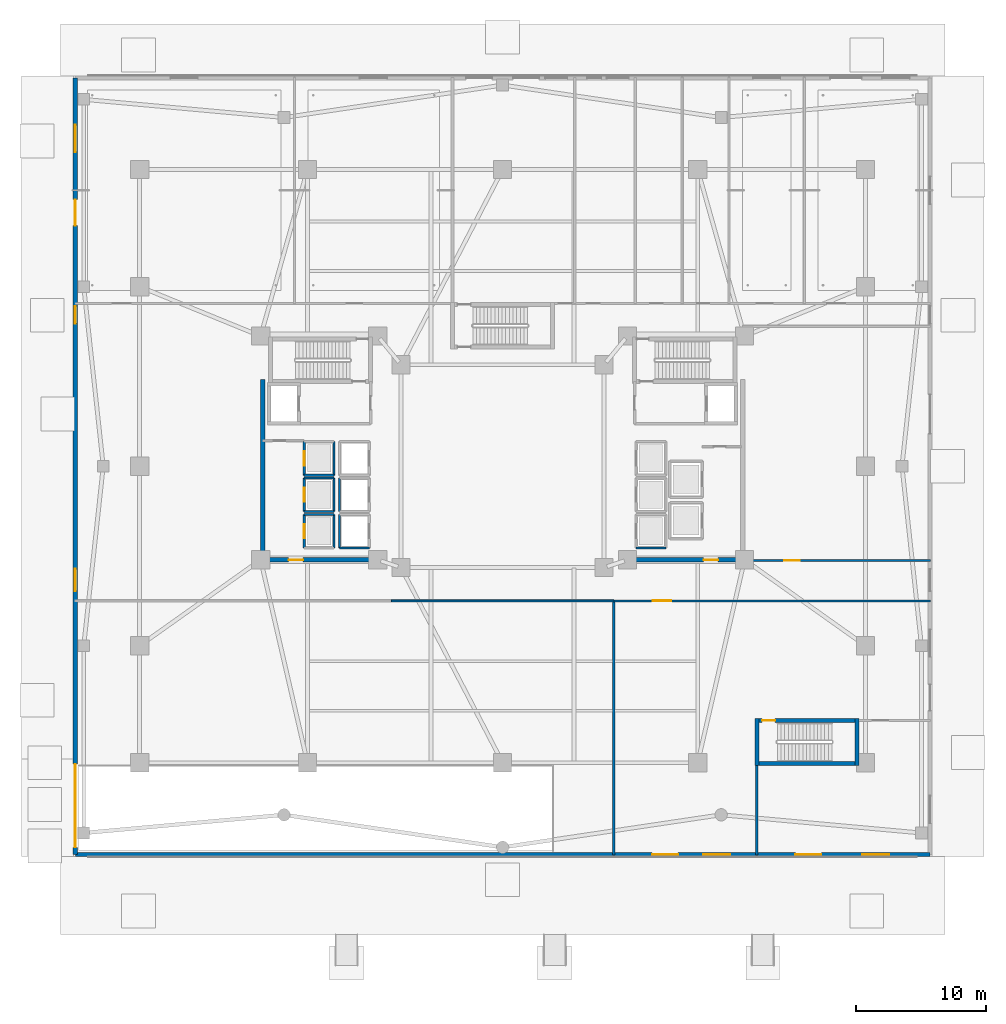
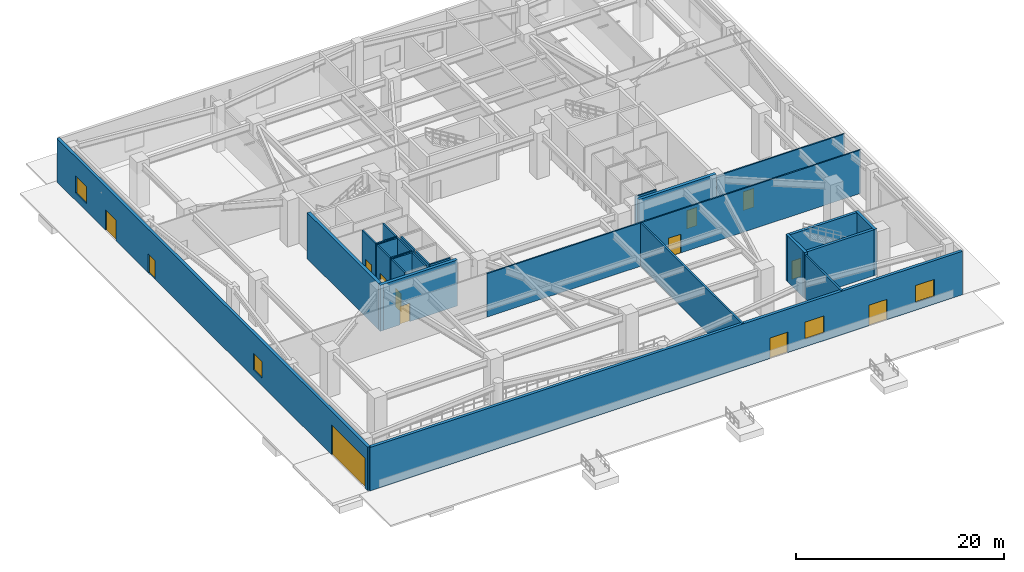
# One storey, part 3 of 18: 28 walls, 13 doors, 4 windows, 17 openings.
"""IFC4 building model written with IfcOpenShell, lengths in metres."""

from ifc_helpers import new_model, si_unit, direction, frame, frame_2d, origin, place, context, subcontext, project, spatial, rectangle, extrude, material, layer, layer_set, type_object, element, fill, save


model = new_model("IFC4")

# Units and contexts
model_context = context("Model", 3, precision=1e-05, world=origin(), true_north=direction((0.0, 1.0)))
body_context = subcontext(model_context, "Body", "Model", "MODEL_VIEW")
ifc_project = project(units=[si_unit("LENGTHUNIT", "METRE"), si_unit("AREAUNIT", "SQUARE_METRE"), si_unit("VOLUMEUNIT", "CUBIC_METRE"), si_unit("PLANEANGLEUNIT", "RADIAN"), si_unit("MASSUNIT", "GRAM", prefix="KILO")], contexts=[model_context])

# Site, building, storey
site_placement = place(None, origin())
site = spatial("IfcSite", under=ifc_project, at=site_placement, CompositionType="ELEMENT")
building_placement = place(site_placement, origin())
building = spatial("IfcBuilding", under=site, at=building_placement, Name="Tarnavaz Court Tower", CompositionType="ELEMENT")
storey_placement = place(building_placement, origin())
storey = spatial("IfcBuildingStorey", under=building, at=storey_placement, Name="L00", CompositionType="ELEMENT", Elevation=0.0)

# Wall, opening, door
ifc_material_1 = material(Name="Concrete C60/75", Category="concrete")
ifc_layer_1 = layer(ifc_material_1, 0.300048828125)
ifc_layer_set_1 = layer_set([ifc_layer_1], Name="Concrete C60/75")
wall_type_1 = type_object("IfcWallType", Name="WL-CORE-300-C60", PredefinedType="SHEAR", material=ifc_layer_set_1)
wall_1_placement = place(storey_placement, frame((19.39990234375, -19.56005859375, 0.0), z_axis=(0.0, 0.0, 1.0), x_axis=(1.0, 0.0, 0.0)))
wall_1 = element("IfcWall", 1, at=wall_1_placement, inside=storey, type_object=wall_type_1, Name="L00 Podium Stair Core Wall 013", PredefinedType="SHEAR", context=body_context, shape_type="SweptSolid", body=[
    extrude(rectangle(XDim=8.0, YDim=0.300048828125, at=frame_2d((4.0, 0.0))), origin(), (0.0, 0.0, 1.0), 5.39990234375),
])
opening_1_placement = place(wall_1_placement, frame((0.550048828125, 0.0, 0.0)))
opening_1 = element("IfcOpeningElement", 2, at=opening_1_placement, cuts=wall_1, Name="Opening D01", PredefinedType="OPENING", context=body_context, shape_type="SweptSolid", body=[
    extrude(rectangle(XDim=1.0, YDim=2.14990234375, at=frame_2d((0.5, 1.074951171875))), frame((0.0, 0.159912109375, 0.0), z_axis=(0.0, -1.0, 0.0), x_axis=(1.0, 0.0, 0.0)), (0.0, 0.0, 1.0), 0.320068359375),
])
ifc_material_2 = material(Name="Fire-Rated Hardwood Timber Core", Category="wood")
door_type_1 = type_object("IfcDoorType", Name="DR-FD90-1000", OperationType="NOTDEFINED", PredefinedType="DOOR", material=ifc_material_2)
door_1_placement = place(opening_1_placement, origin())
door_1 = element("IfcDoor", 3, at=door_1_placement, inside=storey, type_object=door_type_1, Name="L00 Stair ST-P1 Exit Door", OperationType="SINGLE_SWING_RIGHT", OverallHeight=2.14990234375, OverallWidth=1.0, PredefinedType="DOOR", context=body_context, shape_type="SweptSolid", body=[
    extrude(rectangle(XDim=1.0, YDim=2.14990234375, at=frame_2d((0.5, 1.074951171875))), frame((0.0, 0.02490234375, 0.0), z_axis=(0.0, -1.0, 0.0), x_axis=(1.0, 0.0, 0.0)), (0.0, 0.0, 1.0), 0.050048828125),
])
fill(opening_1, door_1)

# Walls
wall_2_placement = place(storey_placement, frame((19.39990234375, -22.85009765625, 0.0), z_axis=(0.0, 0.0, 1.0), x_axis=(1.0, 0.0, 0.0)))
element("IfcWall", 4, at=wall_2_placement, inside=storey, type_object=wall_type_1, Name="L00 Podium Stair Core Wall 014", PredefinedType="SHEAR", context=body_context, shape_type="SweptSolid", body=[
    extrude(rectangle(XDim=8.0, YDim=0.300048828125, at=frame_2d((4.0, 0.0))), origin(), (0.0, 0.0, 1.0), 5.39990234375),
])
for number, where, z_axis, x_axis, name in (
    (5, (19.550048828125, -23.0, 0.0), (0.0, 0.0, 1.0), (0.0, 1.0, 0.0), "L00 Podium Stair Core Wall 015"),
    (6, (27.25, -23.0, 0.0), (0.0, 0.0, 1.0), (0.0, 1.0, 0.0), "L00 Podium Stair Core Wall 016"),
):
    element("IfcWall", number, at=place(storey_placement, frame(where, z_axis=z_axis, x_axis=x_axis)), inside=storey, type_object=wall_type_1, Name=name, PredefinedType="SHEAR", context=body_context, shape_type="SweptSolid", body=[
        extrude(rectangle(XDim=3.590087890625, YDim=0.300048828125, at=frame_2d((1.794921875, 0.0))), origin(), (0.0, 0.0, 1.0), 5.39990234375),
    ])
ifc_layer_2 = layer(ifc_material_1, 0.35009765625)
ifc_layer_set_2 = layer_set([ifc_layer_2], Name="Concrete C60/75")
wall_type_2 = type_object("IfcWallType", Name="WL-CORE-350-C60", PredefinedType="SHEAR", material=ifc_layer_set_2)
wall_3_placement = place(storey_placement, frame((-18.449951171875, -7.375, 0.0), z_axis=(0.0, 0.0, 1.0), x_axis=(0.0, 1.0, 0.0)))
element("IfcWall", 7, at=wall_3_placement, inside=storey, type_object=wall_type_2, Name="L00 West Core Shear Wall 073", PredefinedType="SHEAR", context=body_context, shape_type="SweptSolid", body=[
    extrude(rectangle(XDim=14.050048828125, YDim=0.35009765625, at=frame_2d((7.02490234375, 0.0))), origin(), (0.0, 0.0, 1.0), 5.39990234375),
])

# Wall, opening, door
wall_4_placement = place(storey_placement, frame((-18.625, -7.199951171875, 0.0), z_axis=(0.0, 0.0, 1.0), x_axis=(1.0, 0.0, 0.0)))
wall_4 = element("IfcWall", 8, at=wall_4_placement, inside=storey, type_object=wall_type_2, Name="L00 West Core South Shear Wall 074", PredefinedType="SHEAR", context=body_context, shape_type="SweptSolid", body=[
    extrude(rectangle(XDim=8.550048828125, YDim=0.35009765625, at=frame_2d((4.27490234375, 0.0))), origin(), (0.0, 0.0, 1.0), 5.39990234375),
])
opening_2_placement = place(wall_4_placement, frame((2.175048828125, 0.0, 0.0)))
opening_2 = element("IfcOpeningElement", 9, at=opening_2_placement, cuts=wall_4, Name="Opening D04", PredefinedType="OPENING", context=body_context, shape_type="SweptSolid", body=[
    extrude(rectangle(XDim=1.1201171875, YDim=2.14990234375, at=frame_2d((0.56005859375, 1.074951171875))), frame((0.0, 0.18505859375, 0.0), z_axis=(0.0, -1.0, 0.0), x_axis=(1.0, 0.0, 0.0)), (0.0, 0.0, 1.0), 0.3701171875),
])
door_type_2 = type_object("IfcDoorType", Name="DR-FD60-1100", OperationType="NOTDEFINED", PredefinedType="DOOR", material=ifc_material_2)
door_2_placement = place(opening_2_placement, origin())
door_2 = element("IfcDoor", 10, at=door_2_placement, inside=storey, type_object=door_type_2, Name="L00 West High-Rise Lift Lobby Door", OperationType="SINGLE_SWING_LEFT", OverallHeight=2.14990234375, OverallWidth=1.1201171875, PredefinedType="DOOR", context=body_context, shape_type="SweptSolid", body=[
    extrude(rectangle(XDim=1.1201171875, YDim=2.14990234375, at=frame_2d((0.56005859375, 1.074951171875))), frame((0.0, 0.02490234375, 0.0), z_axis=(0.0, -1.0, 0.0), x_axis=(1.0, 0.0, 0.0)), (0.0, 0.0, 1.0), 0.050048828125),
])
fill(opening_2, door_2)

wall_5_placement = place(storey_placement, frame((10.074951171875, -7.199951171875, 0.0), z_axis=(0.0, 0.0, 1.0), x_axis=(1.0, 0.0, 0.0)))
wall_5 = element("IfcWall", 11, at=wall_5_placement, inside=storey, type_object=wall_type_2, Name="L00 East Core South Shear Wall 076", PredefinedType="SHEAR", context=body_context, shape_type="SweptSolid", body=[
    extrude(rectangle(XDim=8.550048828125, YDim=0.35009765625, at=frame_2d((4.27490234375, 0.0))), origin(), (0.0, 0.0, 1.0), 5.39990234375),
])
opening_3_placement = place(wall_5_placement, frame((5.375, 0.0, 0.0)))
opening_3 = element("IfcOpeningElement", 12, at=opening_3_placement, cuts=wall_5, Name="Opening D04", PredefinedType="OPENING", context=body_context, shape_type="SweptSolid", body=[
    extrude(rectangle(XDim=1.1201171875, YDim=2.14990234375, at=frame_2d((0.56005859375, 1.074951171875))), frame((0.0, 0.18505859375, 0.0), z_axis=(0.0, -1.0, 0.0), x_axis=(1.0, 0.0, 0.0)), (0.0, 0.0, 1.0), 0.3701171875),
])
door_3_placement = place(opening_3_placement, origin())
door_3 = element("IfcDoor", 13, at=door_3_placement, inside=storey, type_object=door_type_2, Name="L00 East Express Lift Lobby Door", OperationType="SINGLE_SWING_LEFT", OverallHeight=2.14990234375, OverallWidth=1.1201171875, PredefinedType="DOOR", context=body_context, shape_type="SweptSolid", body=[
    extrude(rectangle(XDim=1.1201171875, YDim=2.14990234375, at=frame_2d((0.56005859375, 1.074951171875))), frame((0.0, 0.02490234375, 0.0), z_axis=(0.0, -1.0, 0.0), x_axis=(1.0, 0.0, 0.0)), (0.0, 0.0, 1.0), 0.050048828125),
])
fill(opening_3, door_3)

# Wall, openings, doors, windows
ifc_material_3 = material(Name="Precast Concrete C40/50", Category="concrete")
ifc_layer_3 = layer(ifc_material_3, 0.320068359375)
ifc_layer_set_3 = layer_set([ifc_layer_3], Name="Precast Concrete C40/50")
wall_type_3 = type_object("IfcWallType", Name="WL-EXT-320", PredefinedType="SOLIDWALL", material=ifc_layer_set_3)
wall_6_placement = place(storey_placement, frame((32.85009765625, -29.85009765625, 0.0), z_axis=(0.0, 0.0, 1.0), x_axis=(-1.0, 0.0, 0.0)))
wall_6 = element("IfcWall", 14, at=wall_6_placement, inside=storey, type_object=wall_type_3, Name="L00 Exterior Terracotta Facade Wall 03", PredefinedType="SOLIDWALL", context=body_context, shape_type="SweptSolid", body=[
    extrude(rectangle(XDim=65.7001953125, YDim=0.320068359375, at=frame_2d((32.85009765625, 0.0))), origin(), (0.0, 0.0, 1.0), 5.10009765625),
])
opening_4_placement = place(wall_6_placement, frame((8.35009765625, 0.0, 0.0)))
opening_4 = element("IfcOpeningElement", 15, at=opening_4_placement, cuts=wall_6, Name="Opening EXD1", PredefinedType="OPENING", context=body_context, shape_type="SweptSolid", body=[
    extrude(rectangle(XDim=2.0, YDim=2.39990234375, at=frame_2d((1.0, 1.199951171875))), frame((0.0, 0.169921875, 0.0), z_axis=(0.0, -1.0, 0.0), x_axis=(1.0, 0.0, 0.0)), (0.0, 0.0, 1.0), 0.340087890625),
])
opening_5_placement = place(wall_6_placement, frame((19.35009765625, 0.0, 0.0)))
opening_5 = element("IfcOpeningElement", 16, at=opening_5_placement, cuts=wall_6, Name="Opening EXD1", PredefinedType="OPENING", context=body_context, shape_type="SweptSolid", body=[
    extrude(rectangle(XDim=2.0, YDim=2.39990234375, at=frame_2d((1.0, 1.199951171875))), frame((0.0, 0.169921875, 0.0), z_axis=(0.0, -1.0, 0.0), x_axis=(1.0, 0.0, 0.0)), (0.0, 0.0, 1.0), 0.340087890625),
])
opening_6_placement = place(wall_6_placement, frame((3.114990234375, 0.0, 0.89990234375)))
opening_6 = element("IfcOpeningElement", 17, at=opening_6_placement, cuts=wall_6, Name="Opening W09", PredefinedType="OPENING", context=body_context, shape_type="SweptSolid", body=[
    extrude(rectangle(XDim=2.10009765625, YDim=2.0, at=frame_2d((1.050048828125, 1.0))), frame((0.0, 0.169921875, 0.0), z_axis=(0.0, -1.0, 0.0), x_axis=(1.0, 0.0, 0.0)), (0.0, 0.0, 1.0), 0.340087890625),
])
opening_7_placement = place(wall_6_placement, frame((15.340087890625, 0.0, 0.89990234375)))
opening_7 = element("IfcOpeningElement", 18, at=opening_7_placement, cuts=wall_6, Name="Opening W09", PredefinedType="OPENING", context=body_context, shape_type="SweptSolid", body=[
    extrude(rectangle(XDim=2.10009765625, YDim=2.0, at=frame_2d((1.050048828125, 1.0))), frame((0.0, 0.169921875, 0.0), z_axis=(0.0, -1.0, 0.0), x_axis=(1.0, 0.0, 0.0)), (0.0, 0.0, 1.0), 0.340087890625),
])
ifc_material_4 = material(Name="Thermally Broken Aluminium and Laminated Glass", Category="aluminium")
door_type_3 = type_object("IfcDoorType", Name="DR-EXIT-2000", OperationType="NOTDEFINED", PredefinedType="DOOR", material=ifc_material_4)
door_4_placement = place(opening_4_placement, origin())
door_4 = element("IfcDoor", 19, at=door_4_placement, inside=storey, type_object=door_type_3, Name="L00 South Pedestrian Final Exit Door EX-03", OperationType="DOUBLE_DOOR_SINGLE_SWING", OverallHeight=2.39990234375, OverallWidth=2.0, PredefinedType="DOOR", context=body_context, shape_type="SweptSolid", body=[
    extrude(rectangle(XDim=2.0, YDim=2.39990234375, at=frame_2d((1.0, 1.199951171875))), frame((0.0, 0.02490234375, 0.0), z_axis=(0.0, -1.0, 0.0), x_axis=(1.0, 0.0, 0.0)), (0.0, 0.0, 1.0), 0.050048828125),
])
fill(opening_4, door_4)
door_5_placement = place(opening_5_placement, origin())
door_5 = element("IfcDoor", 20, at=door_5_placement, inside=storey, type_object=door_type_3, Name="L00 South Pedestrian Final Exit Door EX-04", OperationType="DOUBLE_DOOR_SINGLE_SWING", OverallHeight=2.39990234375, OverallWidth=2.0, PredefinedType="DOOR", context=body_context, shape_type="SweptSolid", body=[
    extrude(rectangle(XDim=2.0, YDim=2.39990234375, at=frame_2d((1.0, 1.199951171875))), frame((0.0, 0.02490234375, 0.0), z_axis=(0.0, -1.0, 0.0), x_axis=(1.0, 0.0, 0.0)), (0.0, 0.0, 1.0), 0.050048828125),
])
fill(opening_5, door_5)
ifc_material_5 = material(Name="Double-Glazed Solar Low-E Glass", Category="glass")
window_type_1 = type_object("IfcWindowType", Name="WN-CLN-2100", PartitioningType="DOUBLE_PANEL_VERTICAL", PredefinedType="WINDOW", material=ifc_material_5)
window_1_placement = place(opening_6_placement, origin())
window_1 = element("IfcWindow", 21, at=window_1_placement, inside=storey, type_object=window_type_1, Name="L00 South-East Podium Exit Vestibule Window", OverallHeight=2.0, OverallWidth=2.10009765625, PartitioningType="SINGLE_PANEL", PredefinedType="WINDOW", context=body_context, shape_type="SweptSolid", body=[
    extrude(rectangle(XDim=2.10009765625, YDim=2.0, at=frame_2d((1.050048828125, 1.0))), frame((0.0, 0.030029296875, 0.0), z_axis=(0.0, -1.0, 0.0), x_axis=(1.0, 0.0, 0.0)), (0.0, 0.0, 1.0), 0.06005859375),
])
fill(opening_6, window_1)
window_2_placement = place(opening_7_placement, origin())
window_2 = element("IfcWindow", 22, at=window_2_placement, inside=storey, type_object=window_type_1, Name="L00 South Garden Concourse Hall Window", OverallHeight=2.0, OverallWidth=2.10009765625, PartitioningType="SINGLE_PANEL", PredefinedType="WINDOW", context=body_context, shape_type="SweptSolid", body=[
    extrude(rectangle(XDim=2.10009765625, YDim=2.0, at=frame_2d((1.050048828125, 1.0))), frame((0.0, 0.030029296875, 0.0), z_axis=(0.0, -1.0, 0.0), x_axis=(1.0, 0.0, 0.0)), (0.0, 0.0, 1.0), 0.06005859375),
])
fill(opening_7, window_2)

wall_7_placement = place(storey_placement, frame((-32.85009765625, -29.85009765625, 0.0), z_axis=(0.0, 0.0, 1.0), x_axis=(0.0, 1.0, 0.0)))
wall_7 = element("IfcWall", 23, at=wall_7_placement, inside=storey, type_object=wall_type_3, Name="L00 Exterior Terracotta Facade Wall 04", PredefinedType="SOLIDWALL", context=body_context, shape_type="SweptSolid", body=[
    extrude(rectangle(XDim=59.7001953125, YDim=0.320068359375, at=frame_2d((29.85009765625, 0.0))), origin(), (0.0, 0.0, 1.0), 5.10009765625),
])
opening_8_placement = place(wall_7_placement, frame((40.800048828125, 0.0, 0.0)))
opening_8 = element("IfcOpeningElement", 24, at=opening_8_placement, cuts=wall_7, Name="Opening EXD2", PredefinedType="OPENING", context=body_context, shape_type="SweptSolid", body=[
    extrude(rectangle(XDim=1.35009765625, YDim=2.199951171875, at=frame_2d((0.675048828125, 1.10009765625))), frame((0.0, 0.169921875, 0.0), z_axis=(0.0, -1.0, 0.0), x_axis=(1.0, 0.0, 0.0)), (0.0, 0.0, 1.0), 0.340087890625),
])
opening_9_placement = place(wall_7_placement, frame((0.550048828125, 0.0, 0.0)))
opening_9 = element("IfcOpeningElement", 25, at=opening_9_placement, cuts=wall_7, Name="Opening VG1", PredefinedType="OPENING", context=body_context, shape_type="SweptSolid", body=[
    extrude(rectangle(XDim=6.39990234375, YDim=3.5, at=frame_2d((3.199951171875, 1.75))), frame((0.0, 0.169921875, 0.0), z_axis=(0.0, -1.0, 0.0), x_axis=(1.0, 0.0, 0.0)), (0.0, 0.0, 1.0), 0.340087890625),
])
opening_10_placement = place(wall_7_placement, frame((48.35009765625, 0.0, 0.0)))
opening_10 = element("IfcOpeningElement", 26, at=opening_10_placement, cuts=wall_7, Name="Opening EXD1", PredefinedType="OPENING", context=body_context, shape_type="SweptSolid", body=[
    extrude(rectangle(XDim=2.0, YDim=2.39990234375, at=frame_2d((1.0, 1.199951171875))), frame((0.0, 0.169921875, 0.0), z_axis=(0.0, -1.0, 0.0), x_axis=(1.0, 0.0, 0.0)), (0.0, 0.0, 1.0), 0.340087890625),
])
opening_11_placement = place(wall_7_placement, frame((20.25, 0.0, 0.89990234375)))
opening_11 = element("IfcOpeningElement", 27, at=opening_11_placement, cuts=wall_7, Name="Opening W10", PredefinedType="OPENING", context=body_context, shape_type="SweptSolid", body=[
    extrude(rectangle(XDim=1.699951171875, YDim=1.89990234375, at=frame_2d((0.85009765625, 0.949951171875))), frame((0.0, 0.169921875, 0.0), z_axis=(0.0, -1.0, 0.0), x_axis=(1.0, 0.0, 0.0)), (0.0, 0.0, 1.0), 0.340087890625),
])
opening_12_placement = place(wall_7_placement, frame((53.985107421875, 0.0, 0.89990234375)))
opening_12 = element("IfcOpeningElement", 28, at=opening_12_placement, cuts=wall_7, Name="Opening W09", PredefinedType="OPENING", context=body_context, shape_type="SweptSolid", body=[
    extrude(rectangle(XDim=2.10009765625, YDim=2.0, at=frame_2d((1.050048828125, 1.0))), frame((0.0, 0.169921875, 0.0), z_axis=(0.0, -1.0, 0.0), x_axis=(1.0, 0.0, 0.0)), (0.0, 0.0, 1.0), 0.340087890625),
])
door_type_4 = type_object("IfcDoorType", Name="DR-EXIT-1350", OperationType="NOTDEFINED", PredefinedType="DOOR", material=ifc_material_4)
door_6_placement = place(opening_8_placement, origin())
door_6 = element("IfcDoor", 29, at=door_6_placement, inside=storey, type_object=door_type_4, Name="L00 West Protected Corridor Final Exit Door EX-W1", OperationType="DOUBLE_DOOR_SINGLE_SWING", OverallHeight=2.199951171875, OverallWidth=1.35009765625, PredefinedType="DOOR", context=body_context, shape_type="SweptSolid", body=[
    extrude(rectangle(XDim=1.35009765625, YDim=2.199951171875, at=frame_2d((0.675048828125, 1.10009765625))), frame((0.0, 0.02490234375, 0.0), z_axis=(0.0, -1.0, 0.0), x_axis=(1.0, 0.0, 0.0)), (0.0, 0.0, 1.0), 0.050048828125),
])
fill(opening_8, door_6)
door_7_placement = place(opening_10_placement, origin())
door_7 = element("IfcDoor", 30, at=door_7_placement, inside=storey, type_object=door_type_3, Name="L00 West Clinic Pedestrian Final Exit Door EX-05", OperationType="DOUBLE_DOOR_SINGLE_SWING", OverallHeight=2.39990234375, OverallWidth=2.0, PredefinedType="DOOR", context=body_context, shape_type="SweptSolid", body=[
    extrude(rectangle(XDim=2.0, YDim=2.39990234375, at=frame_2d((1.0, 1.199951171875))), frame((0.0, 0.02490234375, 0.0), z_axis=(0.0, -1.0, 0.0), x_axis=(1.0, 0.0, 0.0)), (0.0, 0.0, 1.0), 0.050048828125),
])
fill(opening_10, door_7)
ifc_material_6 = material(Name="Galvanized Powder-Coated Steel Sheet", Category="steel")
door_type_5 = type_object("IfcDoorType", Name="DR-VGATE-6400", OperationType="NOTDEFINED", PredefinedType="GATE", material=ifc_material_6)
door_8_placement = place(opening_9_placement, origin())
door_8 = element("IfcDoor", 31, at=door_8_placement, inside=storey, type_object=door_type_5, Name="L00 Car Park Motorized Roller-Shutter Vehicle Gate VG-01", OperationType="ROLLINGUP", OverallHeight=3.5, OverallWidth=6.39990234375, PredefinedType="GATE", context=body_context, shape_type="SweptSolid", body=[
    extrude(rectangle(XDim=6.39990234375, YDim=3.5, at=frame_2d((3.199951171875, 1.75))), frame((0.0, 0.02490234375, 0.0), z_axis=(0.0, -1.0, 0.0), x_axis=(1.0, 0.0, 0.0)), (0.0, 0.0, 1.0), 0.050048828125),
])
fill(opening_9, door_8)
window_type_2 = type_object("IfcWindowType", Name="WN-CLN-1700", PartitioningType="DOUBLE_PANEL_VERTICAL", PredefinedType="WINDOW", material=ifc_material_5)
window_3_placement = place(opening_11_placement, origin())
window_3 = element("IfcWindow", 32, at=window_3_placement, inside=storey, type_object=window_type_2, Name="L00 South-West Wing Corridor Window", OverallHeight=1.89990234375, OverallWidth=1.699951171875, PartitioningType="SINGLE_PANEL", PredefinedType="WINDOW", context=body_context, shape_type="SweptSolid", body=[
    extrude(rectangle(XDim=1.699951171875, YDim=1.89990234375, at=frame_2d((0.85009765625, 0.949951171875))), frame((0.0, 0.030029296875, 0.0), z_axis=(0.0, -1.0, 0.0), x_axis=(1.0, 0.0, 0.0)), (0.0, 0.0, 1.0), 0.06005859375),
])
fill(opening_11, window_3)
window_4_placement = place(opening_12_placement, origin())
window_4 = element("IfcWindow", 33, at=window_4_placement, inside=storey, type_object=window_type_1, Name="L00 Outpatient Clinic Triage and Registration Hall Window", OverallHeight=2.0, OverallWidth=2.10009765625, PartitioningType="SINGLE_PANEL", PredefinedType="WINDOW", context=body_context, shape_type="SweptSolid", body=[
    extrude(rectangle(XDim=2.10009765625, YDim=2.0, at=frame_2d((1.050048828125, 1.0))), frame((0.0, 0.030029296875, 0.0), z_axis=(0.0, -1.0, 0.0), x_axis=(1.0, 0.0, 0.0)), (0.0, 0.0, 1.0), 0.06005859375),
])
fill(opening_12, window_4)

# Wall
ifc_material_7 = material(Name="Gypsum Fire-Board on Acoustic Metal Stud", Category="masonry")
ifc_layer_4 = layer(ifc_material_7, 0.14990234375)
ifc_layer_set_4 = layer_set([ifc_layer_4], Name="Gypsum Fire-Board on Acoustic Metal Stud")
wall_type_4 = type_object("IfcWallType", Name="WL-FIRE-150", PredefinedType="PARTITIONING", material=ifc_layer_set_4)
wall_8_placement = place(storey_placement, frame((-8.550048828125, -10.35009765625, 0.0), z_axis=(0.0, 0.0, 1.0), x_axis=(1.0, 0.0, 0.0)))
element("IfcWall", 34, at=wall_8_placement, inside=storey, type_object=wall_type_4, Name="L00 South Ring Corridor Wall 082", PredefinedType="PARTITIONING", context=body_context, shape_type="SweptSolid", body=[
    extrude(rectangle(XDim=17.10009765625, YDim=0.14990234375, at=frame_2d((8.550048828125, 0.0))), origin(), (0.0, 0.0, 1.0), 5.10009765625),
])

# Wall, opening, door
wall_9_placement = place(storey_placement, frame((8.550048828125, -10.35009765625, 0.0), z_axis=(0.0, 0.0, 1.0), x_axis=(1.0, 0.0, 0.0)))
wall_9 = element("IfcWall", 35, at=wall_9_placement, inside=storey, type_object=wall_type_4, Name="L00 SE Corridor Wall 083", PredefinedType="PARTITIONING", context=body_context, shape_type="SweptSolid", body=[
    extrude(rectangle(XDim=24.329833984375, YDim=0.14990234375, at=frame_2d((12.1650390625, 0.0))), origin(), (0.0, 0.0, 1.0), 5.10009765625),
])
opening_13_placement = place(wall_9_placement, frame((3.0, 0.0, 0.0)))
opening_13 = element("IfcOpeningElement", 36, at=opening_13_placement, cuts=wall_9, Name="Opening D10", PredefinedType="OPENING", context=body_context, shape_type="SweptSolid", body=[
    extrude(rectangle(XDim=1.39990234375, YDim=2.199951171875, at=frame_2d((0.699951171875, 1.10009765625))), frame((0.0, 0.0849609375, 0.0), z_axis=(0.0, -1.0, 0.0), x_axis=(1.0, 0.0, 0.0)), (0.0, 0.0, 1.0), 0.169921875),
])
ifc_material_8 = material(Name="Engineered Oak Timber", Category="wood")
door_type_6 = type_object("IfcDoorType", Name="DR-INT-1400", OperationType="NOTDEFINED", PredefinedType="DOOR", material=ifc_material_8)
door_9_placement = place(opening_13_placement, origin())
door_9 = element("IfcDoor", 37, at=door_9_placement, inside=storey, type_object=door_type_6, Name="L00 South Arrival Lobby Door", OperationType="SINGLE_SWING_LEFT", OverallHeight=2.199951171875, OverallWidth=1.39990234375, PredefinedType="DOOR", context=body_context, shape_type="SweptSolid", body=[
    extrude(rectangle(XDim=1.39990234375, YDim=2.199951171875, at=frame_2d((0.699951171875, 1.10009765625))), frame((0.0, 0.02490234375, 0.0), z_axis=(0.0, -1.0, 0.0), x_axis=(1.0, 0.0, 0.0)), (0.0, 0.0, 1.0), 0.050048828125),
])
fill(opening_13, door_9)

wall_10_placement = place(storey_placement, frame((18.449951171875, -7.25, 0.0), z_axis=(0.0, 0.0, 1.0), x_axis=(1.0, 0.0, 0.0)))
wall_10 = element("IfcWall", 38, at=wall_10_placement, inside=storey, type_object=wall_type_4, Name="L00 Interior Partition 094", PredefinedType="PARTITIONING", context=body_context, shape_type="SweptSolid", body=[
    extrude(rectangle(XDim=14.429931640625, YDim=0.14990234375, at=frame_2d((7.21484375, 0.0))), origin(), (0.0, 0.0, 1.0), 5.10009765625),
])
opening_14_placement = place(wall_10_placement, frame((3.199951171875, 0.0, 0.0)))
opening_14 = element("IfcOpeningElement", 39, at=opening_14_placement, cuts=wall_10, Name="Opening D03", PredefinedType="OPENING", context=body_context, shape_type="SweptSolid", body=[
    extrude(rectangle(XDim=1.199951171875, YDim=2.199951171875, at=frame_2d((0.60009765625, 1.10009765625))), frame((0.0, 0.0849609375, 0.0), z_axis=(0.0, -1.0, 0.0), x_axis=(1.0, 0.0, 0.0)), (0.0, 0.0, 1.0), 0.169921875),
])
door_type_7 = type_object("IfcDoorType", Name="DR-FD90-1200", OperationType="NOTDEFINED", PredefinedType="DOOR", material=ifc_material_2)
door_10_placement = place(opening_14_placement, origin())
door_10 = element("IfcDoor", 40, at=door_10_placement, inside=storey, type_object=door_type_7, Name="L00 East Podium Service Bay Door", OperationType="SINGLE_SWING_LEFT", OverallHeight=2.199951171875, OverallWidth=1.199951171875, PredefinedType="DOOR", context=body_context, shape_type="SweptSolid", body=[
    extrude(rectangle(XDim=1.199951171875, YDim=2.199951171875, at=frame_2d((0.60009765625, 1.10009765625))), frame((0.0, 0.02490234375, 0.0), z_axis=(0.0, -1.0, 0.0), x_axis=(1.0, 0.0, 0.0)), (0.0, 0.0, 1.0), 0.050048828125),
])
fill(opening_14, door_10)

# Walls
ifc_material_9 = material(Name="Autoclaved Aerated Concrete Blockwork", Category="masonry")
ifc_layer_5 = layer(ifc_material_9, 0.199951171875)
ifc_layer_set_5 = layer_set([ifc_layer_5], Name="Autoclaved Aerated Concrete Blockwork")
wall_type_5 = type_object("IfcWallType", Name="WL-FIRE-200", PredefinedType="SOLIDWALL", material=ifc_layer_set_5)
wall_11_placement = place(storey_placement, frame((8.550048828125, -29.8798828125, 0.0), z_axis=(0.0, 0.0, 1.0), x_axis=(0.0, 1.0, 0.0)))
element("IfcWall", 41, at=wall_11_placement, inside=storey, type_object=wall_type_5, Name="L00 Interior Partition 091", PredefinedType="SOLIDWALL", context=body_context, shape_type="SweptSolid", body=[
    extrude(rectangle(XDim=19.52978515625, YDim=0.199951171875, at=frame_2d((9.764892578125, 0.0))), origin(), (0.0, 0.0, 1.0), 5.10009765625),
])
wall_12_placement = place(storey_placement, frame((19.550048828125, -29.8798828125, 0.0), z_axis=(0.0, 0.0, 1.0), x_axis=(0.0, 1.0, 0.0)))
element("IfcWall", 42, at=wall_12_placement, inside=storey, type_object=wall_type_5, Name="L00 Interior Partition 092", PredefinedType="SOLIDWALL", context=body_context, shape_type="SweptSolid", body=[
    extrude(rectangle(XDim=7.02978515625, YDim=0.199951171875, at=frame_2d((3.514892578125, 0.0))), origin(), (0.0, 0.0, 1.0), 5.10009765625),
])
ifc_layer_6 = layer(ifc_material_9, 0.159912109375)
ifc_layer_set_6 = layer_set([ifc_layer_6], Name="Autoclaved Aerated Concrete Blockwork")
wall_type_6 = type_object("IfcWallType", Name="WL-SHAFT-150", PredefinedType="SOLIDWALL", material=ifc_layer_set_6)
wall_13_placement = place(storey_placement, frame((-12.550048828125, -6.300048828125, 0.0), z_axis=(0.0, 0.0, 1.0), x_axis=(0.0, 1.0, 0.0)))
element("IfcWall", 43, at=wall_13_placement, inside=storey, type_object=wall_type_6, Name="L00 Lift PL-L1 Shaft Wall 025", PredefinedType="SOLIDWALL", context=body_context, shape_type="SweptSolid", body=[
    extrude(rectangle(XDim=2.60009765625, YDim=0.159912109375, at=frame_2d((1.300048828125, 0.0))), origin(), (0.0, 0.0, 1.0), 5.10009765625),
])
wall_14_placement = place(storey_placement, frame((-12.550048828125, -6.300048828125, 0.0), z_axis=(0.0, 0.0, 1.0), x_axis=(1.0, 0.0, 0.0)))
element("IfcWall", 44, at=wall_14_placement, inside=storey, type_object=wall_type_6, Name="L00 Lift PL-L1 Shaft Wall 027", PredefinedType="SOLIDWALL", context=body_context, shape_type="SweptSolid", body=[
    extrude(rectangle(XDim=2.300048828125, YDim=0.159912109375, at=frame_2d((1.14990234375, 0.0))), origin(), (0.0, 0.0, 1.0), 5.10009765625),
])
wall_15_placement = place(storey_placement, frame((-12.550048828125, -3.5, 0.0), z_axis=(0.0, 0.0, 1.0), x_axis=(0.0, 1.0, 0.0)))
element("IfcWall", 45, at=wall_15_placement, inside=storey, type_object=wall_type_6, Name="L00 Lift PL-L2 Shaft Wall 029", PredefinedType="SOLIDWALL", context=body_context, shape_type="SweptSolid", body=[
    extrude(rectangle(XDim=2.60009765625, YDim=0.159912109375, at=frame_2d((1.300048828125, 0.0))), origin(), (0.0, 0.0, 1.0), 5.10009765625),
])

# Wall, opening, door
wall_16_placement = place(storey_placement, frame((-15.25, -6.300048828125, 0.0), z_axis=(0.0, 0.0, 1.0), x_axis=(0.0, 1.0, 0.0)))
wall_16 = element("IfcWall", 46, at=wall_16_placement, inside=storey, type_object=wall_type_6, Name="L00 Lift PL-H1 Shaft Wall 037", PredefinedType="SOLIDWALL", context=body_context, shape_type="SweptSolid", body=[
    extrude(rectangle(XDim=2.60009765625, YDim=0.159912109375, at=frame_2d((1.300048828125, 0.0))), origin(), (0.0, 0.0, 1.0), 5.10009765625),
])
opening_15_placement = place(wall_16_placement, frame((0.75, 0.0, 0.0)))
opening_15 = element("IfcOpeningElement", 47, at=opening_15_placement, cuts=wall_16, Name="Opening LD1", PredefinedType="OPENING", context=body_context, shape_type="SweptSolid", body=[
    extrude(rectangle(XDim=1.10009765625, YDim=2.14990234375, at=frame_2d((0.550048828125, 1.074951171875))), frame((0.0, 0.08984375, 0.0), z_axis=(0.0, -1.0, 0.0), x_axis=(1.0, 0.0, 0.0)), (0.0, 0.0, 1.0), 0.179931640625),
])
ifc_material_10 = material(Name="Stainless Steel", Category="steel")
door_type_8 = type_object("IfcDoorType", Name="DR-LD-1100", OperationType="NOTDEFINED", PredefinedType="DOOR", material=ifc_material_10)
door_11_placement = place(opening_15_placement, origin())
door_11 = element("IfcDoor", 48, at=door_11_placement, inside=storey, type_object=door_type_8, Name="L00 Lift Landing Door LD-PL-H1", OperationType="SLIDING_TO_LEFT", OverallHeight=2.14990234375, OverallWidth=1.10009765625, PredefinedType="DOOR", context=body_context, shape_type="SweptSolid", body=[
    extrude(rectangle(XDim=1.10009765625, YDim=2.14990234375, at=frame_2d((0.550048828125, 1.074951171875))), frame((0.0, 0.02490234375, 0.0), z_axis=(0.0, -1.0, 0.0), x_axis=(1.0, 0.0, 0.0)), (0.0, 0.0, 1.0), 0.050048828125),
])
fill(opening_15, door_11)

# Walls
wall_17_placement = place(storey_placement, frame((-12.949951171875, -6.300048828125, 0.0), z_axis=(0.0, 0.0, 1.0), x_axis=(0.0, 1.0, 0.0)))
element("IfcWall", 49, at=wall_17_placement, inside=storey, type_object=wall_type_6, Name="L00 Lift PL-H1 Shaft Wall 038", PredefinedType="SOLIDWALL", context=body_context, shape_type="SweptSolid", body=[
    extrude(rectangle(XDim=2.60009765625, YDim=0.159912109375, at=frame_2d((1.300048828125, 0.0))), origin(), (0.0, 0.0, 1.0), 5.10009765625),
])
wall_18_placement = place(storey_placement, frame((-15.25, -3.699951171875, 0.0), z_axis=(0.0, 0.0, 1.0), x_axis=(1.0, 0.0, 0.0)))
element("IfcWall", 50, at=wall_18_placement, inside=storey, type_object=wall_type_6, Name="L00 Lift PL-H1 Shaft Wall 040", PredefinedType="SOLIDWALL", context=body_context, shape_type="SweptSolid", body=[
    extrude(rectangle(XDim=2.300048828125, YDim=0.159912109375, at=frame_2d((1.14990234375, 0.0))), origin(), (0.0, 0.0, 1.0), 5.10009765625),
])

# Wall, opening, door
wall_19_placement = place(storey_placement, frame((-15.25, -3.5, 0.0), z_axis=(0.0, 0.0, 1.0), x_axis=(0.0, 1.0, 0.0)))
wall_19 = element("IfcWall", 51, at=wall_19_placement, inside=storey, type_object=wall_type_6, Name="L00 Lift PL-H2 Shaft Wall 041", PredefinedType="SOLIDWALL", context=body_context, shape_type="SweptSolid", body=[
    extrude(rectangle(XDim=2.60009765625, YDim=0.159912109375, at=frame_2d((1.300048828125, 0.0))), origin(), (0.0, 0.0, 1.0), 5.10009765625),
])
opening_16_placement = place(wall_19_placement, frame((0.75, 0.0, 0.0)))
opening_16 = element("IfcOpeningElement", 52, at=opening_16_placement, cuts=wall_19, Name="Opening LD1", PredefinedType="OPENING", context=body_context, shape_type="SweptSolid", body=[
    extrude(rectangle(XDim=1.10009765625, YDim=2.14990234375, at=frame_2d((0.550048828125, 1.074951171875))), frame((0.0, 0.08984375, 0.0), z_axis=(0.0, -1.0, 0.0), x_axis=(1.0, 0.0, 0.0)), (0.0, 0.0, 1.0), 0.179931640625),
])
door_12_placement = place(opening_16_placement, origin())
door_12 = element("IfcDoor", 53, at=door_12_placement, inside=storey, type_object=door_type_8, Name="L00 Lift Landing Door LD-PL-H2", OperationType="SLIDING_TO_LEFT", OverallHeight=2.14990234375, OverallWidth=1.10009765625, PredefinedType="DOOR", context=body_context, shape_type="SweptSolid", body=[
    extrude(rectangle(XDim=1.10009765625, YDim=2.14990234375, at=frame_2d((0.550048828125, 1.074951171875))), frame((0.0, 0.02490234375, 0.0), z_axis=(0.0, -1.0, 0.0), x_axis=(1.0, 0.0, 0.0)), (0.0, 0.0, 1.0), 0.050048828125),
])
fill(opening_16, door_12)

# Walls
wall_20_placement = place(storey_placement, frame((-12.949951171875, -3.5, 0.0), z_axis=(0.0, 0.0, 1.0), x_axis=(0.0, 1.0, 0.0)))
element("IfcWall", 54, at=wall_20_placement, inside=storey, type_object=wall_type_6, Name="L00 Lift PL-H2 Shaft Wall 042", PredefinedType="SOLIDWALL", context=body_context, shape_type="SweptSolid", body=[
    extrude(rectangle(XDim=2.60009765625, YDim=0.159912109375, at=frame_2d((1.300048828125, 0.0))), origin(), (0.0, 0.0, 1.0), 5.10009765625),
])
for number, where, z_axis, x_axis, name in (
    (55, (-15.25, -3.5, 0.0), (0.0, 0.0, 1.0), (1.0, 0.0, 0.0), "L00 Lift PL-H2 Shaft Wall 043"),
    (56, (-15.25, -0.89990234375, 0.0), (0.0, 0.0, 1.0), (1.0, 0.0, 0.0), "L00 Lift PL-H2 Shaft Wall 044"),
):
    element("IfcWall", number, at=place(storey_placement, frame(where, z_axis=z_axis, x_axis=x_axis)), inside=storey, type_object=wall_type_6, Name=name, PredefinedType="SOLIDWALL", context=body_context, shape_type="SweptSolid", body=[
        extrude(rectangle(XDim=2.300048828125, YDim=0.159912109375, at=frame_2d((1.14990234375, 0.0))), origin(), (0.0, 0.0, 1.0), 5.10009765625),
    ])

# Wall, opening, door
wall_21_placement = place(storey_placement, frame((-15.25, -0.699951171875, 0.0), z_axis=(0.0, 0.0, 1.0), x_axis=(0.0, 1.0, 0.0)))
wall_21 = element("IfcWall", 57, at=wall_21_placement, inside=storey, type_object=wall_type_6, Name="L00 Lift PL-H3 Shaft Wall 045", PredefinedType="SOLIDWALL", context=body_context, shape_type="SweptSolid", body=[
    extrude(rectangle(XDim=2.599853515625, YDim=0.159912109375, at=frame_2d((1.2998046875, 0.0))), origin(), (0.0, 0.0, 1.0), 5.10009765625),
])
opening_17_placement = place(wall_21_placement, frame((0.75, 0.0, 0.0)))
opening_17 = element("IfcOpeningElement", 58, at=opening_17_placement, cuts=wall_21, Name="Opening LD1", PredefinedType="OPENING", context=body_context, shape_type="SweptSolid", body=[
    extrude(rectangle(XDim=1.10009765625, YDim=2.14990234375, at=frame_2d((0.550048828125, 1.074951171875))), frame((0.0, 0.08984375, 0.0), z_axis=(0.0, -1.0, 0.0), x_axis=(1.0, 0.0, 0.0)), (0.0, 0.0, 1.0), 0.179931640625),
])
door_13_placement = place(opening_17_placement, origin())
door_13 = element("IfcDoor", 59, at=door_13_placement, inside=storey, type_object=door_type_8, Name="L00 Lift Landing Door LD-PL-H3", OperationType="SLIDING_TO_LEFT", OverallHeight=2.14990234375, OverallWidth=1.10009765625, PredefinedType="DOOR", context=body_context, shape_type="SweptSolid", body=[
    extrude(rectangle(XDim=1.10009765625, YDim=2.14990234375, at=frame_2d((0.550048828125, 1.074951171875))), frame((0.0, 0.02490234375, 0.0), z_axis=(0.0, -1.0, 0.0), x_axis=(1.0, 0.0, 0.0)), (0.0, 0.0, 1.0), 0.050048828125),
])
fill(opening_17, door_13)

# Walls
wall_22_placement = place(storey_placement, frame((-12.949951171875, -0.699951171875, 0.0), z_axis=(0.0, 0.0, 1.0), x_axis=(0.0, 1.0, 0.0)))
element("IfcWall", 60, at=wall_22_placement, inside=storey, type_object=wall_type_6, Name="L00 Lift PL-H3 Shaft Wall 046", PredefinedType="SOLIDWALL", context=body_context, shape_type="SweptSolid", body=[
    extrude(rectangle(XDim=2.599853515625, YDim=0.159912109375, at=frame_2d((1.2998046875, 0.0))), origin(), (0.0, 0.0, 1.0), 5.10009765625),
])
for number, where, z_axis, x_axis, name in (
    (61, (-15.25, -0.699951171875, 0.0), (0.0, 0.0, 1.0), (1.0, 0.0, 0.0), "L00 Lift PL-H3 Shaft Wall 047"),
    (62, (10.25, -6.300048828125, 0.0), (0.0, 0.0, 1.0), (1.0, 0.0, 0.0), "L00 Lift PL-M1 Shaft Wall 055"),
):
    element("IfcWall", number, at=place(storey_placement, frame(where, z_axis=z_axis, x_axis=x_axis)), inside=storey, type_object=wall_type_6, Name=name, PredefinedType="SOLIDWALL", context=body_context, shape_type="SweptSolid", body=[
        extrude(rectangle(XDim=2.300048828125, YDim=0.159912109375, at=frame_2d((1.14990234375, 0.0))), origin(), (0.0, 0.0, 1.0), 5.10009765625),
    ])

save(model, "model.ifc")
